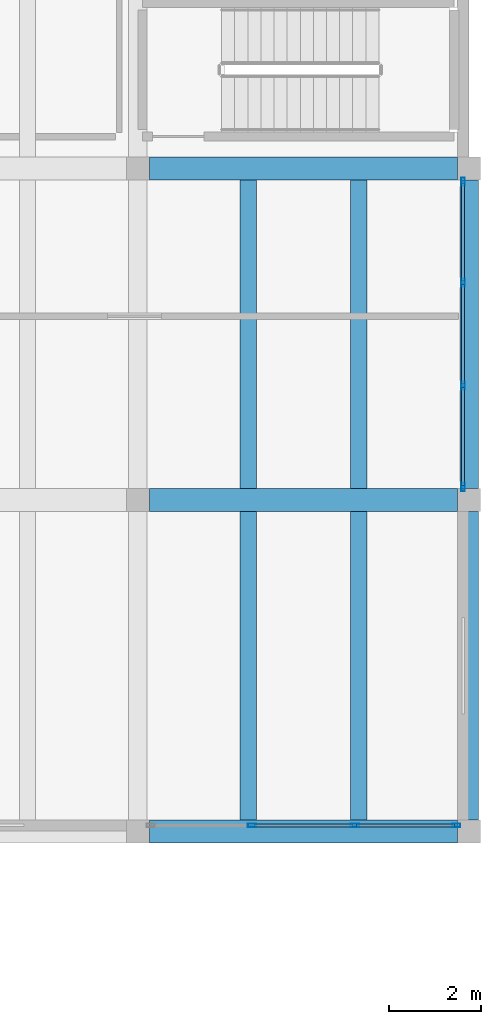
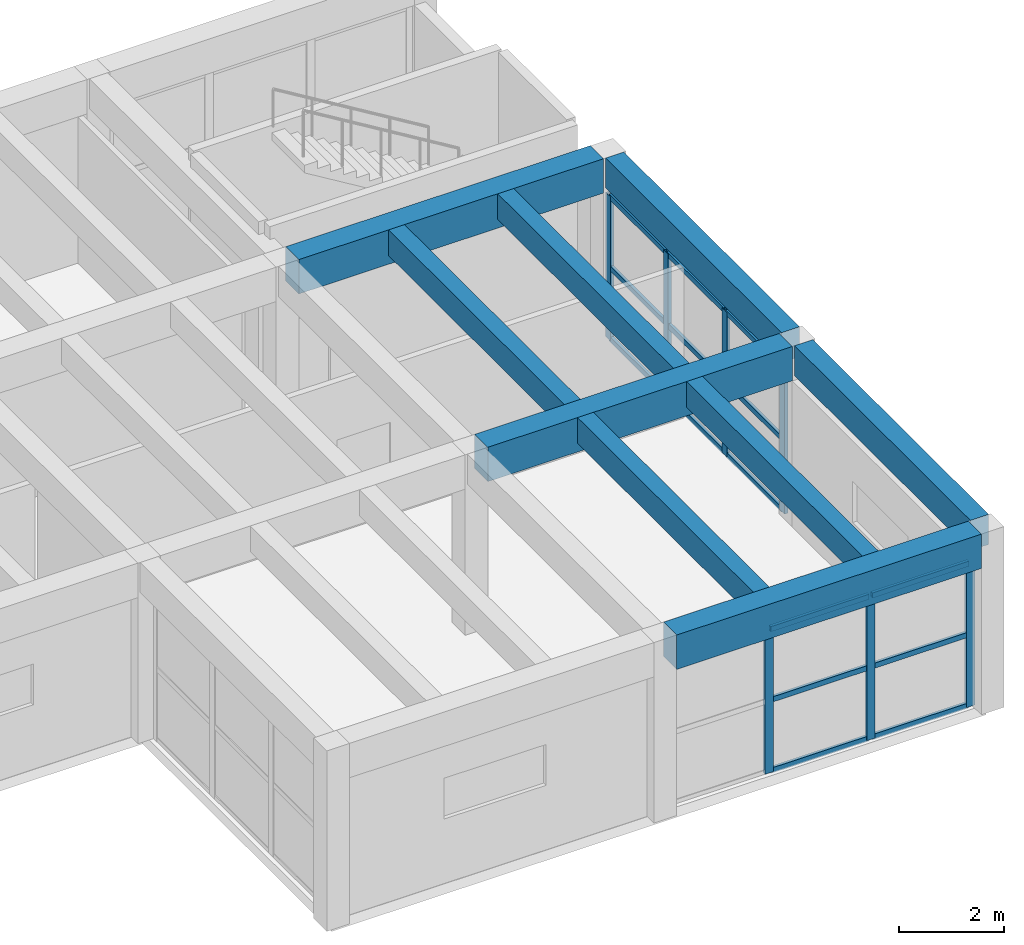
# One storey, part 113 of 153: 22 members, 9 beams, 2 elements without a shape of their own.
"""IFC4 building model written with IfcOpenShell, lengths in metres."""

from ifc_helpers import new_model, si_unit, direction, frame, origin, origin_2d, place, context, subcontext, project, spatial, rectangle, hollow_rectangle, extrude, material, material_profile, profile_set, type_object, element, aggregate, save


model = new_model("IFC4")

# Units and contexts
model_context = context("Model", 3, precision=1e-05, world=origin(), true_north=direction((0.0, 1.0)))
body_context = subcontext(model_context, "Body", "Model", "MODEL_VIEW")
ifc_project = project(units=[si_unit("LENGTHUNIT", "METRE"), si_unit("AREAUNIT", "SQUARE_METRE"), si_unit("VOLUMEUNIT", "CUBIC_METRE"), si_unit("PLANEANGLEUNIT", "RADIAN"), si_unit("MASSUNIT", "GRAM", prefix="KILO")], contexts=[model_context])

# Site, building, storey
site_placement = place(None, origin())
site = spatial("IfcSite", under=ifc_project, at=site_placement, CompositionType="ELEMENT")
building_placement = place(site_placement, origin())
building = spatial("IfcBuilding", under=site, at=building_placement, Name="Bramvelor Terrace Health Centre", CompositionType="ELEMENT")
storey_placement = place(building_placement, frame((0.0, 0.0, 4.800048828125)))
storey = spatial("IfcBuildingStorey", under=building, at=storey_placement, Name="L02", CompositionType="ELEMENT", Elevation=4.800048828125)

# Beams
ifc_material_1 = material(Name="Concrete C40/50", Category="concrete")
ifc_material_profile_1 = material_profile(ifc_material_1, rectangle(XDim=0.5, YDim=0.800048828125, at=origin_2d()), Name="RC 500x800")
ifc_profile_set_1 = profile_set([ifc_material_profile_1], Name="Concrete C40/50")
beam_type_1 = type_object("IfcBeamType", Name="BM-RC-G800", PredefinedType="BEAM", material=ifc_profile_set_1)
for number, where, z_axis, x_axis, name in (
    (1, (158.64990234375, 43.199951171875, 3.800048828125), (1.0, 0.0, 0.0), (0.0, 1.0, 0.0), "L02 Floor Girder"),
    (2, (158.64990234375, 50.39990234375, 3.800048828125), (1.0, 0.0, 0.0), (0.0, 1.0, 0.0), "L02 Floor Girder"),
    (3, (158.64990234375, 57.60009765625, 3.800048828125), (1.0, 0.0, 0.0), (0.0, 1.0, 0.0), "L02 Floor Girder"),
):
    element("IfcBeam", number, at=place(storey_placement, frame(where, z_axis=z_axis, x_axis=x_axis)), inside=storey, type_object=beam_type_1, Name=name, PredefinedType="BEAM", context=body_context, shape_type="SweptSolid", body=[
        extrude(rectangle(XDim=0.5, YDim=0.800048828125, at=origin_2d()), origin(), (0.0, 0.0, 1.0), 6.7001953125),
    ])
ifc_material_2 = material(Name="Concrete C40/50", Category="concrete")
ifc_material_profile_2 = material_profile(ifc_material_2, rectangle(XDim=0.35009765625, YDim=0.60009765625, at=origin_2d()), Name="RC 350x600")
ifc_profile_set_2 = profile_set([ifc_material_profile_2], Name="Concrete C40/50")
beam_type_2 = type_object("IfcBeamType", Name="BM-RC-J600", PredefinedType="JOIST", material=ifc_profile_set_2)
for number, where, z_axis, x_axis, name in (
    (4, (160.800048828125, 43.449951171875, 3.89990234375), (0.0, 1.0, 0.0), (-1.0, 0.0, 0.0), "L02 Secondary Floor Joist"),
    (5, (163.199951171875, 43.449951171875, 3.89990234375), (0.0, 1.0, 0.0), (-1.0, 0.0, 0.0), "L02 Secondary Floor Joist"),
):
    element("IfcBeam", number, at=place(storey_placement, frame(where, z_axis=z_axis, x_axis=x_axis)), inside=storey, type_object=beam_type_2, Name=name, PredefinedType="JOIST", context=body_context, shape_type="SweptSolid", body=[
        extrude(rectangle(XDim=0.35009765625, YDim=0.60009765625, at=origin_2d()), origin(), (0.0, 0.0, 1.0), 6.699951171875),
    ])
for number, where, z_axis, x_axis, name in (
    (6, (160.800048828125, 50.64990234375, 3.89990234375), (0.0, 1.0, 0.0), (-1.0, 0.0, 0.0), "L02 Secondary Floor Joist"),
    (7, (163.199951171875, 50.64990234375, 3.89990234375), (0.0, 1.0, 0.0), (-1.0, 0.0, 0.0), "L02 Secondary Floor Joist"),
):
    element("IfcBeam", number, at=place(storey_placement, frame(where, z_axis=z_axis, x_axis=x_axis)), inside=storey, type_object=beam_type_2, Name=name, PredefinedType="JOIST", context=body_context, shape_type="SweptSolid", body=[
        extrude(rectangle(XDim=0.35009765625, YDim=0.60009765625, at=origin_2d()), origin(), (0.0, 0.0, 1.0), 6.7001953125),
    ])
ifc_material_3 = material(Name="Concrete C40/50", Category="concrete")
ifc_material_profile_3 = material_profile(ifc_material_3, rectangle(XDim=0.39990234375, YDim=0.699951171875, at=origin_2d()), Name="RC 400x700")
ifc_profile_set_3 = profile_set([ifc_material_profile_3], Name="Concrete C40/50")
beam_type_3 = type_object("IfcBeamType", Name="BM-RC-SP700-EXT", PredefinedType="SPANDREL", material=ifc_profile_set_3)
beam_1_placement = place(storey_placement, frame((165.60009765625, 43.449951171875, 3.849853515625), z_axis=(0.0, 1.0, 0.0), x_axis=(-1.0, 0.0, 0.0)))
element("IfcBeam", 8, at=beam_1_placement, inside=storey, type_object=beam_type_3, Name="L02 Floor Girder", PredefinedType="SPANDREL", context=body_context, shape_type="SweptSolid", body=[
    extrude(rectangle(XDim=0.39990234375, YDim=0.699951171875, at=origin_2d()), origin(), (0.0, 0.0, 1.0), 6.699951171875),
])
beam_2_placement = place(storey_placement, frame((165.60009765625, 50.64990234375, 3.849853515625), z_axis=(0.0, 1.0, 0.0), x_axis=(-1.0, 0.0, 0.0)))
element("IfcBeam", 9, at=beam_2_placement, inside=storey, type_object=beam_type_3, Name="L02 Floor Girder", PredefinedType="SPANDREL", context=body_context, shape_type="SweptSolid", body=[
    extrude(rectangle(XDim=0.39990234375, YDim=0.699951171875, at=origin_2d()), origin(), (0.0, 0.0, 1.0), 6.7001953125),
])

# Curtain wall, members
ifc_material_4 = material(Name="Anodized aluminium and double low-E glass", Category="aluminium")
curtain_wall_type = type_object("IfcCurtainWallType", Name="CW-SYS-16", PredefinedType="NOTDEFINED", material=ifc_material_4)
curtain_wall_1_placement = place(storey_placement, origin())
curtain_wall_1 = element("IfcCurtainWall", 10, at=curtain_wall_1_placement, inside=storey, type_object=curtain_wall_type, Name="L02 Unitized Curtain Wall 106", PredefinedType="NOTDEFINED")
ifc_material_5 = material(Name="Anodized aluminium 6063-T6", Category="aluminium")
ifc_material_profile_4 = material_profile(ifc_material_5, hollow_rectangle(XDim=0.074951171875, YDim=0.179931640625, WallThickness=0.00341796875, at=origin_2d()), Name="ALU-MUL 75x180x3.5")
ifc_profile_set_4 = profile_set([ifc_material_profile_4], Name="Anodized aluminium 6063-T6")
member_type_1 = type_object("IfcMemberType", Name="CW-MUL-65x180", PredefinedType="MULLION", material=ifc_profile_set_4)
member_1_placement = place(storey_placement, frame((165.469970703125, 57.3173828125, 0.0), z_axis=(0.0, 0.0, 1.0), x_axis=(1.0, 0.0, 0.0)))
member_1 = element("IfcMember", 11, at=member_1_placement, type_object=member_type_1, Name="CW-16 mullion 1", PredefinedType="MULLION", context=body_context, shape_type="SweptSolid", body=[
    extrude(hollow_rectangle(XDim=0.074951171875, YDim=0.179931640625, WallThickness=0.00341796875, at=origin_2d()), origin(), (0.0, 0.0, 1.0), 3.35986328125),
])
member_2_placement = place(storey_placement, frame((165.469970703125, 55.118408203125, 0.0), z_axis=(0.0, 0.0, 1.0), x_axis=(1.0, 0.0, 0.0)))
member_2 = element("IfcMember", 12, at=member_2_placement, type_object=member_type_1, Name="CW-16 mullion 2", PredefinedType="MULLION", context=body_context, shape_type="SweptSolid", body=[
    extrude(hollow_rectangle(XDim=0.074951171875, YDim=0.179931640625, WallThickness=0.00341796875, at=origin_2d()), origin(), (0.0, 0.0, 1.0), 3.35986328125),
])
member_3_placement = place(storey_placement, frame((165.469970703125, 52.881591796875, 0.0), z_axis=(0.0, 0.0, 1.0), x_axis=(1.0, 0.0, 0.0)))
member_3 = element("IfcMember", 13, at=member_3_placement, type_object=member_type_1, Name="CW-16 mullion 3", PredefinedType="MULLION", context=body_context, shape_type="SweptSolid", body=[
    extrude(hollow_rectangle(XDim=0.074951171875, YDim=0.179931640625, WallThickness=0.00341796875, at=origin_2d()), origin(), (0.0, 0.0, 1.0), 3.35986328125),
])
member_4_placement = place(storey_placement, frame((165.469970703125, 50.6826171875, 0.0), z_axis=(0.0, 0.0, 1.0), x_axis=(1.0, 0.0, 0.0)))
member_4 = element("IfcMember", 14, at=member_4_placement, type_object=member_type_1, Name="CW-16 mullion 4", PredefinedType="MULLION", context=body_context, shape_type="SweptSolid", body=[
    extrude(hollow_rectangle(XDim=0.074951171875, YDim=0.179931640625, WallThickness=0.00341796875, at=origin_2d()), origin(), (0.0, 0.0, 1.0), 3.35986328125),
])

curtain_wall_2_placement = place(storey_placement, origin())
curtain_wall_2 = element("IfcCurtainWall", 15, at=curtain_wall_2_placement, inside=storey, type_object=curtain_wall_type, Name="L02 Unitized Curtain Wall 107", PredefinedType="NOTDEFINED")
member_5_placement = place(storey_placement, frame((165.3173828125, 43.330078125, 0.0), z_axis=(0.0, 0.0, 1.0), x_axis=(0.0, -1.0, 0.0)))
member_5 = element("IfcMember", 16, at=member_5_placement, type_object=member_type_1, Name="CW-16 mullion 1", PredefinedType="MULLION", context=body_context, shape_type="SweptSolid", body=[
    extrude(hollow_rectangle(XDim=0.074951171875, YDim=0.179931640625, WallThickness=0.00341796875, at=origin_2d()), origin(), (0.0, 0.0, 1.0), 3.35986328125),
])
member_6_placement = place(storey_placement, frame((163.118408203125, 43.330078125, 0.0), z_axis=(0.0, 0.0, 1.0), x_axis=(0.0, -1.0, 0.0)))
member_6 = element("IfcMember", 17, at=member_6_placement, type_object=member_type_1, Name="CW-16 mullion 2", PredefinedType="MULLION", context=body_context, shape_type="SweptSolid", body=[
    extrude(hollow_rectangle(XDim=0.074951171875, YDim=0.179931640625, WallThickness=0.00341796875, at=origin_2d()), origin(), (0.0, 0.0, 1.0), 3.35986328125),
])
member_7_placement = place(storey_placement, frame((160.881591796875, 43.330078125, 0.0), z_axis=(0.0, 0.0, 1.0), x_axis=(0.0, -1.0, 0.0)))
member_7 = element("IfcMember", 18, at=member_7_placement, type_object=member_type_1, Name="CW-16 mullion 3", PredefinedType="MULLION", context=body_context, shape_type="SweptSolid", body=[
    extrude(hollow_rectangle(XDim=0.074951171875, YDim=0.179931640625, WallThickness=0.00341796875, at=origin_2d()), origin(), (0.0, 0.0, 1.0), 3.35986328125),
])

# Member
ifc_material_6 = material(Name="Anodized aluminium 6063-T6", Category="aluminium")
ifc_material_profile_5 = material_profile(ifc_material_6, hollow_rectangle(XDim=0.06494140625, YDim=0.1201171875, WallThickness=0.0029296875, at=origin_2d()), Name="ALU-TRN 65x120x3.0")
ifc_profile_set_5 = profile_set([ifc_material_profile_5], Name="Anodized aluminium 6063-T6")
member_type_2 = type_object("IfcMemberType", Name="CW-TRN-65x150", PredefinedType="USERDEFINED", material=ifc_profile_set_5)
member_8_placement = place(storey_placement, frame((165.469970703125, 57.280029296875, 0.032470703125), z_axis=(0.0, -1.0, 0.0), x_axis=(1.0, 0.0, 0.0)))
member_8 = element("IfcMember", 19, at=member_8_placement, type_object=member_type_2, Name="CW-16 transom 1.1", ObjectType="TRANSOM", PredefinedType="USERDEFINED", context=body_context, shape_type="SweptSolid", body=[
    extrude(hollow_rectangle(XDim=0.06494140625, YDim=0.1201171875, WallThickness=0.0029296875, at=origin_2d()), origin(), (0.0, 0.0, 1.0), 2.124267578125),
])

member_9_placement = place(storey_placement, frame((165.469970703125, 57.280029296875, 1.679931640625), z_axis=(0.0, -1.0, 0.0), x_axis=(1.0, 0.0, 0.0)))
member_9 = element("IfcMember", 20, at=member_9_placement, type_object=member_type_2, Name="CW-16 transom 1.2", ObjectType="TRANSOM", PredefinedType="USERDEFINED", context=body_context, shape_type="SweptSolid", body=[
    extrude(hollow_rectangle(XDim=0.06494140625, YDim=0.1201171875, WallThickness=0.0029296875, at=origin_2d()), origin(), (0.0, 0.0, 1.0), 2.124267578125),
])

member_10_placement = place(storey_placement, frame((165.469970703125, 57.280029296875, 3.327392578125), z_axis=(0.0, -1.0, 0.0), x_axis=(1.0, 0.0, 0.0)))
member_10 = element("IfcMember", 21, at=member_10_placement, type_object=member_type_2, Name="CW-16 transom 1.3", ObjectType="TRANSOM", PredefinedType="USERDEFINED", context=body_context, shape_type="SweptSolid", body=[
    extrude(hollow_rectangle(XDim=0.06494140625, YDim=0.1201171875, WallThickness=0.0029296875, at=origin_2d()), origin(), (0.0, 0.0, 1.0), 2.124267578125),
])

member_11_placement = place(storey_placement, frame((165.469970703125, 55.080810546875, 0.032470703125), z_axis=(0.0, -1.0, 0.0), x_axis=(1.0, 0.0, 0.0)))
member_11 = element("IfcMember", 22, at=member_11_placement, type_object=member_type_2, Name="CW-16 transom 2.1", ObjectType="TRANSOM", PredefinedType="USERDEFINED", context=body_context, shape_type="SweptSolid", body=[
    extrude(hollow_rectangle(XDim=0.06494140625, YDim=0.1201171875, WallThickness=0.0029296875, at=origin_2d()), origin(), (0.0, 0.0, 1.0), 2.16162109375),
])

member_12_placement = place(storey_placement, frame((165.469970703125, 55.080810546875, 1.679931640625), z_axis=(0.0, -1.0, 0.0), x_axis=(1.0, 0.0, 0.0)))
member_12 = element("IfcMember", 23, at=member_12_placement, type_object=member_type_2, Name="CW-16 transom 2.2", ObjectType="TRANSOM", PredefinedType="USERDEFINED", context=body_context, shape_type="SweptSolid", body=[
    extrude(hollow_rectangle(XDim=0.06494140625, YDim=0.1201171875, WallThickness=0.0029296875, at=origin_2d()), origin(), (0.0, 0.0, 1.0), 2.16162109375),
])

member_13_placement = place(storey_placement, frame((165.469970703125, 55.080810546875, 3.327392578125), z_axis=(0.0, -1.0, 0.0), x_axis=(1.0, 0.0, 0.0)))
member_13 = element("IfcMember", 24, at=member_13_placement, type_object=member_type_2, Name="CW-16 transom 2.3", ObjectType="TRANSOM", PredefinedType="USERDEFINED", context=body_context, shape_type="SweptSolid", body=[
    extrude(hollow_rectangle(XDim=0.06494140625, YDim=0.1201171875, WallThickness=0.0029296875, at=origin_2d()), origin(), (0.0, 0.0, 1.0), 2.16162109375),
])

member_14_placement = place(storey_placement, frame((165.469970703125, 52.84423828125, 0.032470703125), z_axis=(0.0, -1.0, 0.0), x_axis=(1.0, 0.0, 0.0)))
member_14 = element("IfcMember", 25, at=member_14_placement, type_object=member_type_2, Name="CW-16 transom 3.1", ObjectType="TRANSOM", PredefinedType="USERDEFINED", context=body_context, shape_type="SweptSolid", body=[
    extrude(hollow_rectangle(XDim=0.06494140625, YDim=0.1201171875, WallThickness=0.0029296875, at=origin_2d()), origin(), (0.0, 0.0, 1.0), 2.124267578125),
])

member_15_placement = place(storey_placement, frame((165.469970703125, 52.84423828125, 1.679931640625), z_axis=(0.0, -1.0, 0.0), x_axis=(1.0, 0.0, 0.0)))
member_15 = element("IfcMember", 26, at=member_15_placement, type_object=member_type_2, Name="CW-16 transom 3.2", ObjectType="TRANSOM", PredefinedType="USERDEFINED", context=body_context, shape_type="SweptSolid", body=[
    extrude(hollow_rectangle(XDim=0.06494140625, YDim=0.1201171875, WallThickness=0.0029296875, at=origin_2d()), origin(), (0.0, 0.0, 1.0), 2.124267578125),
])

member_16_placement = place(storey_placement, frame((165.469970703125, 52.84423828125, 3.327392578125), z_axis=(0.0, -1.0, 0.0), x_axis=(1.0, 0.0, 0.0)))
member_16 = element("IfcMember", 27, at=member_16_placement, type_object=member_type_2, Name="CW-16 transom 3.3", ObjectType="TRANSOM", PredefinedType="USERDEFINED", context=body_context, shape_type="SweptSolid", body=[
    extrude(hollow_rectangle(XDim=0.06494140625, YDim=0.1201171875, WallThickness=0.0029296875, at=origin_2d()), origin(), (0.0, 0.0, 1.0), 2.124267578125),
])

aggregate(curtain_wall_1, [member_1, member_2, member_3, member_4, member_8, member_9, member_10, member_11, member_12, member_13, member_14, member_15, member_16])

member_17_placement = place(storey_placement, frame((165.280029296875, 43.330078125, 0.032470703125), z_axis=(-1.0, 0.0, 0.0), x_axis=(0.0, -1.0, 0.0)))
member_17 = element("IfcMember", 28, at=member_17_placement, type_object=member_type_2, Name="CW-16 transom 1.1", ObjectType="TRANSOM", PredefinedType="USERDEFINED", context=body_context, shape_type="SweptSolid", body=[
    extrude(hollow_rectangle(XDim=0.06494140625, YDim=0.1201171875, WallThickness=0.0029296875, at=origin_2d()), origin(), (0.0, 0.0, 1.0), 2.124267578125),
])

member_18_placement = place(storey_placement, frame((165.280029296875, 43.330078125, 1.679931640625), z_axis=(-1.0, 0.0, 0.0), x_axis=(0.0, -1.0, 0.0)))
member_18 = element("IfcMember", 29, at=member_18_placement, type_object=member_type_2, Name="CW-16 transom 1.2", ObjectType="TRANSOM", PredefinedType="USERDEFINED", context=body_context, shape_type="SweptSolid", body=[
    extrude(hollow_rectangle(XDim=0.06494140625, YDim=0.1201171875, WallThickness=0.0029296875, at=origin_2d()), origin(), (0.0, 0.0, 1.0), 2.124267578125),
])

member_19_placement = place(storey_placement, frame((165.280029296875, 43.330078125, 3.327392578125), z_axis=(-1.0, 0.0, 0.0), x_axis=(0.0, -1.0, 0.0)))
member_19 = element("IfcMember", 30, at=member_19_placement, type_object=member_type_2, Name="CW-16 transom 1.3", ObjectType="TRANSOM", PredefinedType="USERDEFINED", context=body_context, shape_type="SweptSolid", body=[
    extrude(hollow_rectangle(XDim=0.06494140625, YDim=0.1201171875, WallThickness=0.0029296875, at=origin_2d()), origin(), (0.0, 0.0, 1.0), 2.124267578125),
])

member_20_placement = place(storey_placement, frame((163.080810546875, 43.330078125, 0.032470703125), z_axis=(-1.0, 0.0, 0.0), x_axis=(0.0, -1.0, 0.0)))
member_20 = element("IfcMember", 31, at=member_20_placement, type_object=member_type_2, Name="CW-16 transom 2.1", ObjectType="TRANSOM", PredefinedType="USERDEFINED", context=body_context, shape_type="SweptSolid", body=[
    extrude(hollow_rectangle(XDim=0.06494140625, YDim=0.1201171875, WallThickness=0.0029296875, at=origin_2d()), origin(), (0.0, 0.0, 1.0), 2.16162109375),
])

member_21_placement = place(storey_placement, frame((163.080810546875, 43.330078125, 1.679931640625), z_axis=(-1.0, 0.0, 0.0), x_axis=(0.0, -1.0, 0.0)))
member_21 = element("IfcMember", 32, at=member_21_placement, type_object=member_type_2, Name="CW-16 transom 2.2", ObjectType="TRANSOM", PredefinedType="USERDEFINED", context=body_context, shape_type="SweptSolid", body=[
    extrude(hollow_rectangle(XDim=0.06494140625, YDim=0.1201171875, WallThickness=0.0029296875, at=origin_2d()), origin(), (0.0, 0.0, 1.0), 2.16162109375),
])

member_22_placement = place(storey_placement, frame((163.080810546875, 43.330078125, 3.327392578125), z_axis=(-1.0, 0.0, 0.0), x_axis=(0.0, -1.0, 0.0)))
member_22 = element("IfcMember", 33, at=member_22_placement, type_object=member_type_2, Name="CW-16 transom 2.3", ObjectType="TRANSOM", PredefinedType="USERDEFINED", context=body_context, shape_type="SweptSolid", body=[
    extrude(hollow_rectangle(XDim=0.06494140625, YDim=0.1201171875, WallThickness=0.0029296875, at=origin_2d()), origin(), (0.0, 0.0, 1.0), 2.16162109375),
])

aggregate(curtain_wall_2, [member_5, member_6, member_7, member_17, member_18, member_19, member_20, member_21, member_22])

save(model, "model.ifc")
